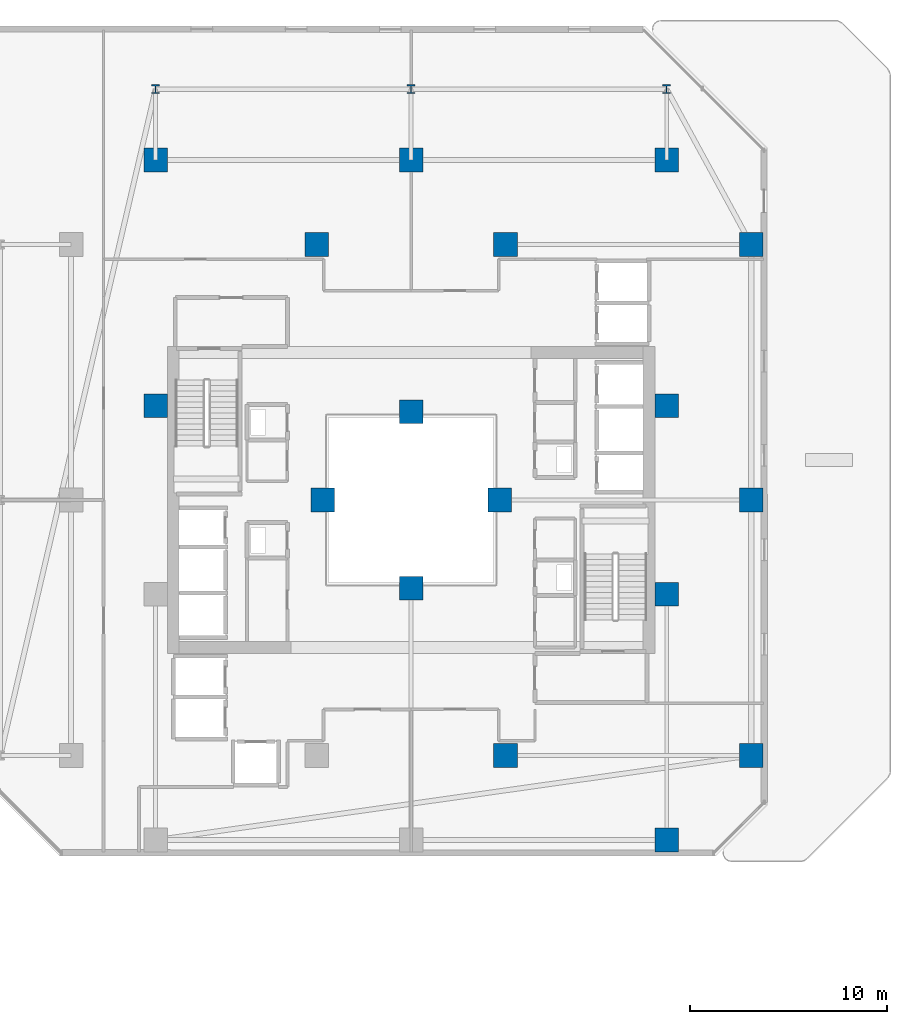
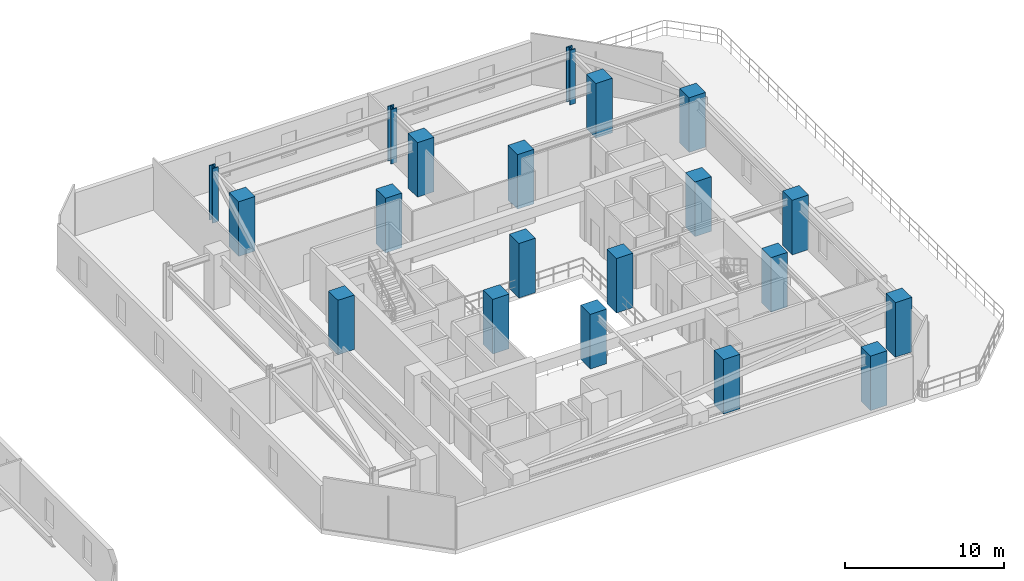
# One storey, part 2 of 30: 20 columns.
"""IFC4 building model written with IfcOpenShell, lengths in metres."""

from ifc_helpers import new_model, si_unit, direction, frame, origin, origin_2d, place, context, subcontext, project, spatial, rectangle, i_section, extrude, material, material_profile, profile_set, type_object, element, save


model = new_model("IFC4")

# Units and contexts
model_context = context("Model", 3, precision=1e-05, world=origin(), true_north=direction((0.0, 1.0)))
body_context = subcontext(model_context, "Body", "Model", "MODEL_VIEW")
ifc_project = project(units=[si_unit("LENGTHUNIT", "METRE"), si_unit("AREAUNIT", "SQUARE_METRE"), si_unit("VOLUMEUNIT", "CUBIC_METRE"), si_unit("PLANEANGLEUNIT", "RADIAN"), si_unit("MASSUNIT", "GRAM", prefix="KILO")], contexts=[model_context])

# Site, building, storey
site_placement = place(None, origin())
site = spatial("IfcSite", under=ifc_project, at=site_placement, CompositionType="ELEMENT")
building_placement = place(site_placement, origin())
building = spatial("IfcBuilding", under=site, at=building_placement, Name="Thornwick Lancets Civic Towers", CompositionType="ELEMENT")
storey_placement = place(building_placement, frame((0.0, 0.0, 75.89990234375)))
storey = spatial("IfcBuildingStorey", under=building, at=storey_placement, Name="L19", CompositionType="ELEMENT", Elevation=75.89990234375)

# Columns
ifc_material_1 = material(Name="Concrete C60/75", Category="concrete")
ifc_material_profile_1 = material_profile(ifc_material_1, rectangle(XDim=1.199951171875, YDim=1.199951171875, at=origin_2d()), Name="RC 1200x1200")
ifc_profile_set_1 = profile_set([ifc_material_profile_1], Name="Concrete C60/75")
column_type_1 = type_object("IfcColumnType", Name="COL_RC_1200", PredefinedType="COLUMN", material=ifc_profile_set_1)
for number, where, z_axis, x_axis, name in (
    (1, (105.800048828125, 14.0, 0.0), (0.0, 0.0, 1.0), (1.0, 0.0, 0.0), "L19 Spine Mega-Column B01"),
    (2, (105.800048828125, 27.0, 0.0), (0.0, 0.0, 1.0), (1.0, 0.0, 0.0), "L19 Spine Mega-Column B02"),
    (3, (105.800048828125, 40.0, 0.0), (0.0, 0.0, 1.0), (1.0, 0.0, 0.0), "L19 Spine Mega-Column B03"),
    (4, (101.5, 44.300048828125, 0.0), (0.0, 0.0, 1.0), (1.0, 0.0, 0.0), "L19 Spine Mega-Column B04"),
    (5, (88.5, 44.300048828125, 0.0), (0.0, 0.0, 1.0), (1.0, 0.0, 0.0), "L19 Spine Mega-Column B05"),
    (6, (75.5, 44.300048828125, 0.0), (0.0, 0.0, 1.0), (1.0, 0.0, 0.0), "L19 Spine Mega-Column B06"),
    (7, (101.5, 9.699951171875, 0.0), (0.0, 0.0, 1.0), (1.0, 0.0, 0.0), "L19 Spine Mega-Column B10"),
    (8, (93.300048828125, 14.0, 0.0), (0.0, 0.0, 1.0), (1.0, 0.0, 0.0), "L19 Spine Mega-Column B13"),
    (9, (93.300048828125, 40.0, 0.0), (0.0, 0.0, 1.0), (1.0, 0.0, 0.0), "L19 Spine Mega-Column B14"),
    (10, (83.699951171875, 40.0, 0.0), (0.0, 0.0, 1.0), (1.0, 0.0, 0.0), "L19 Spine Mega-Column B16"),
    (11, (101.5, 22.199951171875, 0.0), (0.0, 0.0, 1.0), (1.0, 0.0, 0.0), "L19 Spine Mega-Column B17"),
    (12, (101.5, 31.800048828125, 0.0), (0.0, 0.0, 1.0), (1.0, 0.0, 0.0), "L19 Spine Mega-Column B18"),
    (13, (75.5, 31.800048828125, 0.0), (0.0, 0.0, 1.0), (1.0, 0.0, 0.0), "L19 Spine Mega-Column B20"),
    (14, (93.0, 27.0, 0.0), (0.0, 0.0, 1.0), (1.0, 0.0, 0.0), "L19 Spine Mega-Column B21"),
    (15, (84.0, 27.0, 0.0), (0.0, 0.0, 1.0), (1.0, 0.0, 0.0), "L19 Spine Mega-Column B22"),
    (16, (88.5, 22.5, 0.0), (0.0, 0.0, 1.0), (1.0, 0.0, 0.0), "L19 Spine Mega-Column B23"),
    (17, (88.5, 31.5, 0.0), (0.0, 0.0, 1.0), (1.0, 0.0, 0.0), "L19 Spine Mega-Column B24"),
):
    element("IfcColumn", number, at=place(storey_placement, frame(where, z_axis=z_axis, x_axis=x_axis)), inside=storey, type_object=column_type_1, Name=name, PredefinedType="COLUMN", context=body_context, shape_type="SweptSolid", body=[
        extrude(rectangle(XDim=1.199951171875, YDim=1.199951171875, at=origin_2d()), origin(), (0.0, 0.0, 1.0), 4.2001953125),
    ])
ifc_material_2 = material(Name="Steel S460M", Category="steel")
ifc_material_profile_2 = material_profile(ifc_material_2, i_section(OverallWidth=0.41845703125, OverallDepth=0.45556640625, WebThickness=0.0419921875, FlangeThickness=0.0673828125, FilletRadius=0.01513671875, at=origin_2d()), Name="UKC 356x406x551")
ifc_profile_set_2 = profile_set([ifc_material_profile_2], Name="Steel S460M")
column_type_2 = type_object("IfcColumnType", Name="COL_UKC_551", PredefinedType="COLUMN", material=ifc_profile_set_2)
for number, where, z_axis, x_axis, name in (
    (18, (101.5, 47.89990234375, 0.0), (0.0, 0.0, 1.0), (1.0, 0.0, 0.0), "L19 Block Perimeter Column B04"),
    (19, (88.5, 47.89990234375, 0.0), (0.0, 0.0, 1.0), (1.0, 0.0, 0.0), "L19 Block Perimeter Column B05"),
    (20, (75.5, 47.89990234375, 0.0), (0.0, 0.0, 1.0), (1.0, 0.0, 0.0), "L19 Block Perimeter Column B06"),
):
    element("IfcColumn", number, at=place(storey_placement, frame(where, z_axis=z_axis, x_axis=x_axis)), inside=storey, type_object=column_type_2, Name=name, PredefinedType="COLUMN", context=body_context, shape_type="SweptSolid", body=[
        extrude(i_section(OverallWidth=0.41845703125, OverallDepth=0.45556640625, WebThickness=0.0419921875, FlangeThickness=0.0673828125, FilletRadius=0.01513671875, at=origin_2d()), origin(), (0.0, 0.0, 1.0), 4.2001953125),
    ])

save(model, "model.ifc")
